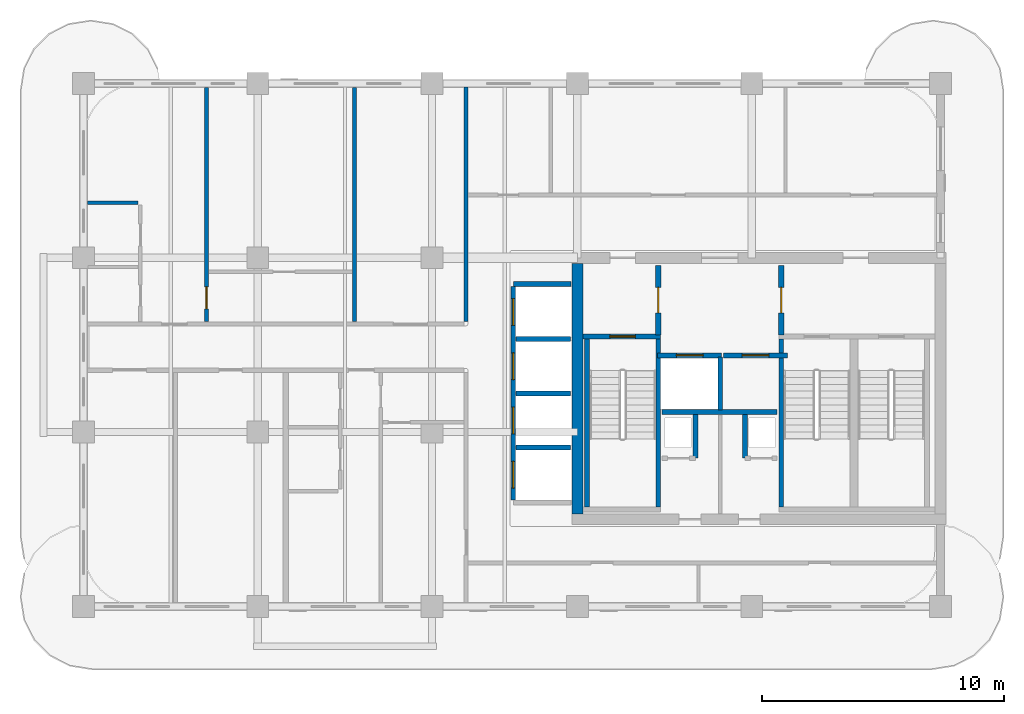
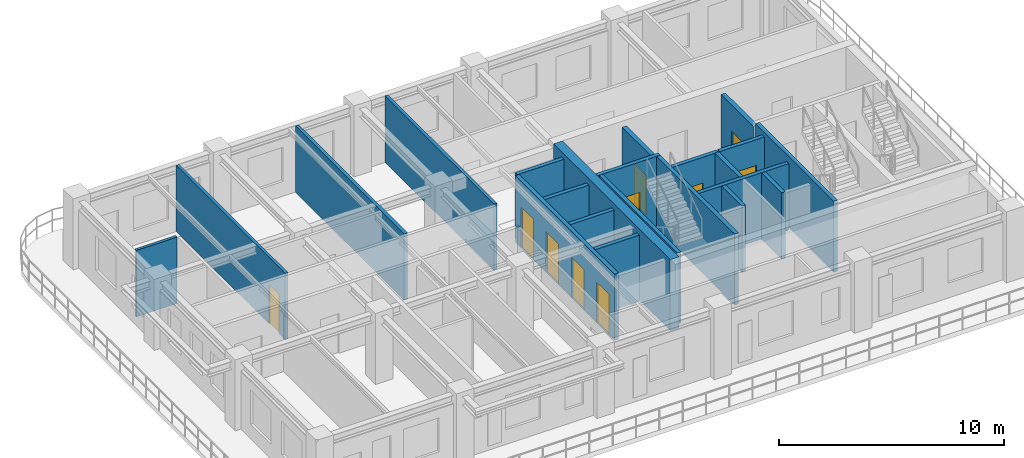
# One storey, part 4 of 8: 22 walls, 10 doors, 10 openings.
"""IFC4 building model written with IfcOpenShell, lengths in metres."""

from ifc_helpers import new_model, si_unit, derived_unit, direction, frame, frame_2d, origin, place, context, subcontext, project, spatial, rectangle, extrude, source, transform, mapped, material, layer, layer_set, type_object, type_shapes, element, fill, save


model = new_model("IFC4")

# Units and contexts
model_context = context("Model", 3, precision=1e-05, world=origin(), true_north=direction((0.0, 1.0)))
body_context = subcontext(model_context, "Body", "Model", "MODEL_VIEW")
ifc_project = project(units=[si_unit("LENGTHUNIT", "METRE"), si_unit("AREAUNIT", "SQUARE_METRE"), si_unit("VOLUMEUNIT", "CUBIC_METRE"), si_unit("PLANEANGLEUNIT", "RADIAN"), si_unit("MASSUNIT", "GRAM", prefix="KILO"), si_unit("THERMODYNAMICTEMPERATUREUNIT", "KELVIN"), si_unit("POWERUNIT", "WATT"), derived_unit("THERMALTRANSMITTANCEUNIT", [(si_unit("POWERUNIT", "WATT"), 1), (si_unit("AREAUNIT", "SQUARE_METRE"), -1), (si_unit("THERMODYNAMICTEMPERATUREUNIT", "KELVIN"), -1)])], contexts=[model_context])

# Site, building, storey
site_placement = place(None, origin())
site = spatial("IfcSite", under=ifc_project, at=site_placement, CompositionType="ELEMENT")
building_placement = place(site_placement, origin())
building = spatial("IfcBuilding", under=site, at=building_placement, Name="Zahravan Archway Hotel and Residences", CompositionType="ELEMENT")
storey_placement = place(building_placement, frame((0.0, 0.0, 232.699951171875)))
storey = spatial("IfcBuildingStorey", under=building, at=storey_placement, Name="L58", CompositionType="ELEMENT", Elevation=232.699951171875)

# Wall
ifc_material_1 = material(Name="Concrete C50/60", Category="concrete")
ifc_layer_1 = layer(ifc_material_1, 0.449951171875, Name="Concrete C50/60", Category="concrete")
ifc_layer_set_1 = layer_set([ifc_layer_1], Name="Concrete C50/60")
wall_type_1 = type_object("IfcWallType", Name="CW-CORE-450", PredefinedType="SHEAR", material=ifc_layer_set_1)
wall_1_placement = place(storey_placement, frame((34.800048828125, 3.824951171875, 0.0), z_axis=(0.0, 0.0, 1.0), x_axis=(0.0, 1.0, 0.0)))
element("IfcWall", 1, at=wall_1_placement, inside=storey, type_object=wall_type_1, Name="L58 Core A Shear W Wall 450 mm", PredefinedType="SHEAR", context=body_context, shape_type="SweptSolid", body=[
    extrude(rectangle(XDim=10.35009765625, YDim=0.449951171875, at=frame_2d((5.175048828125, 0.0))), origin(), (0.0, 0.0, 1.0), 3.85009765625),
])

# Wall, opening, door
ifc_material_2 = material(Name="Fire-Rated Gypsum & Concrete Block", Category="concrete")
ifc_layer_2 = layer(ifc_material_2, 0.219970703125, Name="Fire-Rated Gypsum & Concrete Block", Category="concrete")
ifc_layer_set_2 = layer_set([ifc_layer_2], Name="Fire-Rated Gypsum & Concrete Block")
wall_type_2 = type_object("IfcWallType", Name="PW-COMP-220", PredefinedType="PARTITIONING", material=ifc_layer_set_2)
wall_2_placement = place(storey_placement, frame((38.139892578125, 11.219970703125, 0.0), z_axis=(0.0, 0.0, 1.0), x_axis=(0.0, 1.0, 0.0)))
wall_2 = element("IfcWall", 2, at=wall_2_placement, inside=storey, type_object=wall_type_2, Name="L58 Partition CA-LOBW", PredefinedType="PARTITIONING", context=body_context, shape_type="SweptSolid", body=[
    extrude(rectangle(XDim=2.860107421875, YDim=0.219970703125, at=frame_2d((1.43017578125, 0.0))), origin(), (0.0, 0.0, 1.0), 3.60009765625),
])
opening_1_placement = place(wall_2_placement, frame((0.905029296875, 0.0, 0.0)))
opening_1 = element("IfcOpeningElement", 3, at=opening_1_placement, cuts=wall_2, Name="Opening FD-L2", PredefinedType="OPENING", context=body_context, shape_type="SweptSolid", body=[
    extrude(rectangle(XDim=1.050048828125, YDim=2.14990234375, at=frame_2d((0.52490234375, 1.074951171875))), frame((0.0, 0.1201171875, 0.0), z_axis=(0.0, -1.0, 0.0), x_axis=(1.0, 0.0, 0.0)), (0.0, 0.0, 1.0), 0.239990234375),
])
ifc_material_3 = material(Name="Fire-Rated Painted Steel", Category="steel")
door_type_1 = type_object("IfcDoorType", Name="FD-LOBBY-1100", OperationType="NOTDEFINED", PredefinedType="DOOR", material=ifc_material_3)
shared_shape_1 = source(origin(), body_context, "Body", "SweptSolid", [
    extrude(rectangle(XDim=1.050048828125, YDim=2.14990234375, at=frame_2d((0.52490234375, 1.074951171875))), frame((0.0, 0.02490234375, 0.0), z_axis=(0.0, -1.0, 0.0), x_axis=(1.0, 0.0, 0.0)), (0.0, 0.0, 1.0), 0.050048828125),
])
type_shapes(door_type_1, [shared_shape_1])
door_1_placement = place(opening_1_placement, origin())
door_1 = element("IfcDoor", 4, at=door_1_placement, inside=storey, type_object=door_type_1, Name="L58 Core A West Stair to FSAE Lobby Door", OperationType="SINGLE_SWING_RIGHT", OverallHeight=2.14990234375, OverallWidth=1.050048828125, PredefinedType="DOOR", context=body_context, shape_type="MappedRepresentation", body=[
    mapped(shared_shape_1, transform((0.0, 0.0, 0.0), scale=1.0)),
])
fill(opening_1, door_1)

wall_3_placement = place(storey_placement, frame((43.219970703125, 11.219970703125, 0.0), z_axis=(0.0, 0.0, 1.0), x_axis=(0.0, 1.0, 0.0)))
wall_3 = element("IfcWall", 5, at=wall_3_placement, inside=storey, type_object=wall_type_2, Name="L58 Partition CA-LOBE", PredefinedType="PARTITIONING", context=body_context, shape_type="SweptSolid", body=[
    extrude(rectangle(XDim=2.860107421875, YDim=0.219970703125, at=frame_2d((1.43017578125, 0.0))), origin(), (0.0, 0.0, 1.0), 3.60009765625),
])
opening_2_placement = place(wall_3_placement, frame((0.905029296875, 0.0, 0.0)))
opening_2 = element("IfcOpeningElement", 6, at=opening_2_placement, cuts=wall_3, Name="Opening FD-L2", PredefinedType="OPENING", context=body_context, shape_type="SweptSolid", body=[
    extrude(rectangle(XDim=1.050048828125, YDim=2.14990234375, at=frame_2d((0.52490234375, 1.074951171875))), frame((0.0, 0.1201171875, 0.0), z_axis=(0.0, -1.0, 0.0), x_axis=(1.0, 0.0, 0.0)), (0.0, 0.0, 1.0), 0.239990234375),
])
door_2_placement = place(opening_2_placement, origin())
door_2 = element("IfcDoor", 7, at=door_2_placement, inside=storey, type_object=door_type_1, Name="L58 Core A East Stair to FSAE Lobby Door", OperationType="SINGLE_SWING_LEFT", OverallHeight=2.14990234375, OverallWidth=1.050048828125, PredefinedType="DOOR", context=body_context, shape_type="MappedRepresentation", body=[
    mapped(shared_shape_1, transform((0.0, 0.0, 0.0), scale=1.0)),
])
fill(opening_2, door_2)

# Walls
ifc_layer_3 = layer(ifc_material_2, 0.159912109375, Name="Fire-Rated Gypsum & Concrete Block", Category="concrete")
ifc_layer_set_3 = layer_set([ifc_layer_3], Name="Fire-Rated Gypsum & Concrete Block")
wall_type_3 = type_object("IfcWallType", Name="PW-CORR-160", PredefinedType="PARTITIONING", material=ifc_layer_set_3)
wall_4_placement = place(storey_placement, frame((30.199951171875, 11.760009765625, 0.0), z_axis=(0.0, 0.0, 1.0), x_axis=(0.0, 1.0, 0.0)))
element("IfcWall", 8, at=wall_4_placement, inside=storey, type_object=wall_type_3, Name="L58 Partition WA-FW", PredefinedType="PARTITIONING", context=body_context, shape_type="SweptSolid", body=[
    extrude(rectangle(XDim=9.699951171875, YDim=0.159912109375, at=frame_2d((4.85009765625, 0.0))), origin(), (0.0, 0.0, 1.0), 3.60009765625),
])
ifc_layer_4 = layer(ifc_material_2, 0.199951171875, Name="Fire-Rated Gypsum & Concrete Block", Category="concrete")
ifc_layer_set_4 = layer_set([ifc_layer_4], Name="Fire-Rated Gypsum & Concrete Block")
wall_type_4 = type_object("IfcWallType", Name="PW-SHAFT-200", PredefinedType="PARTITIONING", material=ifc_layer_set_4)
wall_5_placement = place(storey_placement, frame((38.300048828125, 8.030029296875, 0.0), z_axis=(0.0, 0.0, 1.0), x_axis=(1.0, 0.0, 0.0)))
element("IfcWall", 9, at=wall_5_placement, inside=storey, type_object=wall_type_4, Name="L58 Partition CA-FLS", PredefinedType="PARTITIONING", context=body_context, shape_type="SweptSolid", body=[
    extrude(rectangle(XDim=4.739990234375, YDim=0.199951171875, at=frame_2d((2.3701171875, 0.0))), origin(), (0.0, 0.0, 1.0), 3.60009765625),
])
wall_6_placement = place(storey_placement, frame((40.699951171875, 8.1201171875, 0.0), z_axis=(0.0, 0.0, 1.0), x_axis=(0.0, 1.0, 0.0)))
element("IfcWall", 10, at=wall_6_placement, inside=storey, type_object=wall_type_4, Name="L58 Partition CA-FLM", PredefinedType="PARTITIONING", context=body_context, shape_type="SweptSolid", body=[
    extrude(rectangle(XDim=2.179931640625, YDim=0.199951171875, at=frame_2d((1.08984375, 0.0))), origin(), (0.0, 0.0, 1.0), 3.60009765625),
])
for number, where, z_axis, x_axis, name in (
    (11, (39.679931640625, 6.1298828125, 0.0), (0.0, 0.0, 1.0), (0.0, 1.0, 0.0), "L58 Partition CA-SMKE"),
    (12, (41.719970703125, 6.1298828125, 0.0), (0.0, 0.0, 1.0), (0.0, 1.0, 0.0), "L58 Partition CA-MEPW"),
):
    element("IfcWall", number, at=place(storey_placement, frame(where, z_axis=z_axis, x_axis=x_axis)), inside=storey, type_object=wall_type_4, Name=name, PredefinedType="PARTITIONING", context=body_context, shape_type="SweptSolid", body=[
        extrude(rectangle(XDim=1.7900390625, YDim=0.199951171875, at=frame_2d((0.89501953125, 0.0))), origin(), (0.0, 0.0, 1.0), 3.60009765625),
    ])
wall_7_placement = place(storey_placement, frame((32.159912109375, 13.320068359375, 0.0), z_axis=(0.0, 0.0, 1.0), x_axis=(1.0, 0.0, 0.0)))
element("IfcWall", 13, at=wall_7_placement, inside=storey, type_object=wall_type_4, Name="L58 Partition B3-N", PredefinedType="PARTITIONING", context=body_context, shape_type="SweptSolid", body=[
    extrude(rectangle(XDim=2.385009765625, YDim=0.199951171875, at=frame_2d((1.1923828125, 0.0))), origin(), (0.0, 0.0, 1.0), 3.60009765625),
])

# Wall, openings, doors
wall_8_placement = place(storey_placement, frame((32.14990234375, 4.389892578125, 0.0), z_axis=(0.0, 0.0, 1.0), x_axis=(0.0, 1.0, 0.0)))
wall_8 = element("IfcWall", 14, at=wall_8_placement, inside=storey, type_object=wall_type_4, Name="L58 Partition B3-W", PredefinedType="PARTITIONING", context=body_context, shape_type="SweptSolid", body=[
    extrude(rectangle(XDim=8.820068359375, YDim=0.199951171875, at=frame_2d((4.41015625, 0.0))), origin(), (0.0, 0.0, 1.0), 3.60009765625),
])
opening_3_placement = place(wall_8_placement, frame((0.5, 0.0, 0.0)))
opening_3 = element("IfcOpeningElement", 15, at=opening_3_placement, cuts=wall_8, Name="Opening LD", PredefinedType="OPENING", context=body_context, shape_type="SweptSolid", body=[
    extrude(rectangle(XDim=1.10009765625, YDim=2.199951171875, at=frame_2d((0.550048828125, 1.10009765625))), frame((0.0, 0.10986328125, 0.0), z_axis=(0.0, -1.0, 0.0), x_axis=(1.0, 0.0, 0.0)), (0.0, 0.0, 1.0), 0.219970703125),
])
opening_4_placement = place(wall_8_placement, frame((2.739990234375, 0.0, 0.0)))
opening_4 = element("IfcOpeningElement", 16, at=opening_4_placement, cuts=wall_8, Name="Opening LD", PredefinedType="OPENING", context=body_context, shape_type="SweptSolid", body=[
    extrude(rectangle(XDim=1.10009765625, YDim=2.199951171875, at=frame_2d((0.550048828125, 1.10009765625))), frame((0.0, 0.10986328125, 0.0), z_axis=(0.0, -1.0, 0.0), x_axis=(1.0, 0.0, 0.0)), (0.0, 0.0, 1.0), 0.219970703125),
])
opening_5_placement = place(wall_8_placement, frame((4.97998046875, 0.0, 0.0)))
opening_5 = element("IfcOpeningElement", 17, at=opening_5_placement, cuts=wall_8, Name="Opening LD", PredefinedType="OPENING", context=body_context, shape_type="SweptSolid", body=[
    extrude(rectangle(XDim=1.10009765625, YDim=2.199951171875, at=frame_2d((0.550048828125, 1.10009765625))), frame((0.0, 0.10986328125, 0.0), z_axis=(0.0, -1.0, 0.0), x_axis=(1.0, 0.0, 0.0)), (0.0, 0.0, 1.0), 0.219970703125),
])
opening_6_placement = place(wall_8_placement, frame((7.219970703125, 0.0, 0.0)))
opening_6 = element("IfcOpeningElement", 18, at=opening_6_placement, cuts=wall_8, Name="Opening LD", PredefinedType="OPENING", context=body_context, shape_type="SweptSolid", body=[
    extrude(rectangle(XDim=1.10009765625, YDim=2.199951171875, at=frame_2d((0.550048828125, 1.10009765625))), frame((0.0, 0.10986328125, 0.0), z_axis=(0.0, -1.0, 0.0), x_axis=(1.0, 0.0, 0.0)), (0.0, 0.0, 1.0), 0.219970703125),
])
ifc_material_4 = material(Name="Brushed Stainless Steel", Category="steel")
door_type_2 = type_object("IfcDoorType", Name="DR-LIFT-LD", OperationType="SLIDING_TO_LEFT", PredefinedType="DOOR", material=ifc_material_4)
shared_shape_2 = source(origin(), body_context, "Body", "SweptSolid", [
    extrude(rectangle(XDim=1.10009765625, YDim=2.199951171875, at=frame_2d((0.550048828125, 1.10009765625))), frame((0.0, 0.02490234375, 0.0), z_axis=(0.0, -1.0, 0.0), x_axis=(1.0, 0.0, 0.0)), (0.0, 0.0, 1.0), 0.050048828125),
])
type_shapes(door_type_2, [shared_shape_2])
door_3_placement = place(opening_3_placement, origin())
door_3 = element("IfcDoor", 19, at=door_3_placement, inside=storey, type_object=door_type_2, Name="L58 Lift LP-7 Sliding Landing Door", OperationType="SLIDING_TO_LEFT", OverallHeight=2.199951171875, OverallWidth=1.10009765625, PredefinedType="DOOR", context=body_context, shape_type="MappedRepresentation", body=[
    mapped(shared_shape_2, transform((0.0, 0.0, 0.0), scale=1.0)),
])
fill(opening_3, door_3)
door_4_placement = place(opening_4_placement, origin())
door_4 = element("IfcDoor", 20, at=door_4_placement, inside=storey, type_object=door_type_2, Name="L58 Lift LP-8 Sliding Landing Door", OperationType="SLIDING_TO_LEFT", OverallHeight=2.199951171875, OverallWidth=1.10009765625, PredefinedType="DOOR", context=body_context, shape_type="MappedRepresentation", body=[
    mapped(shared_shape_2, transform((0.0, 0.0, 0.0), scale=1.0)),
])
fill(opening_4, door_4)
door_5_placement = place(opening_5_placement, origin())
door_5 = element("IfcDoor", 21, at=door_5_placement, inside=storey, type_object=door_type_2, Name="L58 Lift LP-9 Sliding Landing Door", OperationType="SLIDING_TO_LEFT", OverallHeight=2.199951171875, OverallWidth=1.10009765625, PredefinedType="DOOR", context=body_context, shape_type="MappedRepresentation", body=[
    mapped(shared_shape_2, transform((0.0, 0.0, 0.0), scale=1.0)),
])
fill(opening_5, door_5)
door_6_placement = place(opening_6_placement, origin())
door_6 = element("IfcDoor", 22, at=door_6_placement, inside=storey, type_object=door_type_2, Name="L58 Lift LP-10 Sliding Landing Door", OperationType="SLIDING_TO_LEFT", OverallHeight=2.199951171875, OverallWidth=1.10009765625, PredefinedType="DOOR", context=body_context, shape_type="MappedRepresentation", body=[
    mapped(shared_shape_2, transform((0.0, 0.0, 0.0), scale=1.0)),
])
fill(opening_6, door_6)

# Walls
for number, where, z_axis, x_axis, name in (
    (23, (32.260009765625, 6.56005859375, 0.0), (0.0, 0.0, 1.0), (1.0, 0.0, 0.0), "L58 Partition B3-D"),
    (24, (32.260009765625, 8.800048828125, 0.0), (0.0, 0.0, 1.0), (1.0, 0.0, 0.0), "L58 Partition B3-D"),
    (25, (32.260009765625, 11.0400390625, 0.0), (0.0, 0.0, 1.0), (1.0, 0.0, 0.0), "L58 Partition B3-D"),
):
    element("IfcWall", number, at=place(storey_placement, frame(where, z_axis=z_axis, x_axis=x_axis)), inside=storey, type_object=wall_type_4, Name=name, PredefinedType="PARTITIONING", context=body_context, shape_type="SweptSolid", body=[
        extrude(rectangle(XDim=2.2548828125, YDim=0.199951171875, at=frame_2d((1.12744140625, 0.0))), origin(), (0.0, 0.0, 1.0), 3.60009765625),
    ])

# Wall, opening, door
wall_9_placement = place(storey_placement, frame((38.1201171875, 10.3701171875, 0.0), z_axis=(0.0, 0.0, 1.0), x_axis=(1.0, 0.0, 0.0)))
wall_9 = element("IfcWall", 26, at=wall_9_placement, inside=storey, type_object=wall_type_4, Name="L58 Lift FL-1 Front Wall", PredefinedType="PARTITIONING", context=body_context, shape_type="SweptSolid", body=[
    extrude(rectangle(XDim=2.639892578125, YDim=0.199951171875, at=frame_2d((1.31982421875, 0.0))), origin(), (0.0, 0.0, 1.0), 3.60009765625),
])
opening_7_placement = place(wall_9_placement, frame((0.77001953125, 0.0, 0.0)))
opening_7 = element("IfcOpeningElement", 27, at=opening_7_placement, cuts=wall_9, Name="Opening LD", PredefinedType="OPENING", context=body_context, shape_type="SweptSolid", body=[
    extrude(rectangle(XDim=1.10009765625, YDim=2.199951171875, at=frame_2d((0.550048828125, 1.10009765625))), frame((0.0, 0.10986328125, 0.0), z_axis=(0.0, -1.0, 0.0), x_axis=(1.0, 0.0, 0.0)), (0.0, 0.0, 1.0), 0.219970703125),
])
door_7_placement = place(opening_7_placement, origin())
door_7 = element("IfcDoor", 28, at=door_7_placement, inside=storey, type_object=door_type_2, Name="L58 Lift FL-1 Sliding Landing Door", OperationType="SLIDING_TO_LEFT", OverallHeight=2.199951171875, OverallWidth=1.10009765625, PredefinedType="DOOR", context=body_context, shape_type="MappedRepresentation", body=[
    mapped(shared_shape_2, transform((0.0, 0.0, 0.0), scale=1.0)),
])
fill(opening_7, door_7)

wall_10_placement = place(storey_placement, frame((40.840087890625, 10.3701171875, 0.0), z_axis=(0.0, 0.0, 1.0), x_axis=(1.0, 0.0, 0.0)))
wall_10 = element("IfcWall", 29, at=wall_10_placement, inside=storey, type_object=wall_type_4, Name="L58 Lift FL-2 Front Wall", PredefinedType="PARTITIONING", context=body_context, shape_type="SweptSolid", body=[
    extrude(rectangle(XDim=2.639892578125, YDim=0.199951171875, at=frame_2d((1.31982421875, 0.0))), origin(), (0.0, 0.0, 1.0), 3.60009765625),
])
opening_8_placement = place(wall_10_placement, frame((0.77001953125, 0.0, 0.0)))
opening_8 = element("IfcOpeningElement", 30, at=opening_8_placement, cuts=wall_10, Name="Opening LD", PredefinedType="OPENING", context=body_context, shape_type="SweptSolid", body=[
    extrude(rectangle(XDim=1.10009765625, YDim=2.199951171875, at=frame_2d((0.550048828125, 1.10009765625))), frame((0.0, 0.10986328125, 0.0), z_axis=(0.0, -1.0, 0.0), x_axis=(1.0, 0.0, 0.0)), (0.0, 0.0, 1.0), 0.219970703125),
])
door_8_placement = place(opening_8_placement, origin())
door_8 = element("IfcDoor", 31, at=door_8_placement, inside=storey, type_object=door_type_2, Name="L58 Lift FL-2 Sliding Landing Door", OperationType="SLIDING_TO_LEFT", OverallHeight=2.199951171875, OverallWidth=1.10009765625, PredefinedType="DOOR", context=body_context, shape_type="MappedRepresentation", body=[
    mapped(shared_shape_2, transform((0.0, 0.0, 0.0), scale=1.0)),
])
fill(opening_8, door_8)

ifc_material_5 = material(Name="Acoustic Stud Partition")
ifc_layer_5 = layer(ifc_material_5, 0.14990234375, Name="Acoustic Stud Partition")
ifc_layer_set_5 = layer_set([ifc_layer_5], Name="Acoustic Stud Partition")
wall_type_5 = type_object("IfcWallType", Name="PW-UNIT-150", PredefinedType="PARTITIONING", material=ifc_layer_set_5)
wall_11_placement = place(storey_placement, frame((19.47998046875, 11.760009765625, 0.0), z_axis=(0.0, 0.0, 1.0), x_axis=(0.0, 1.0, 0.0)))
wall_11 = element("IfcWall", 32, at=wall_11_placement, inside=storey, type_object=wall_type_5, Name="L58 Partition FL-N1-SP", PredefinedType="PARTITIONING", context=body_context, shape_type="SweptSolid", body=[
    extrude(rectangle(XDim=9.671875, YDim=0.14990234375, at=frame_2d((4.8359375, 0.0))), origin(), (0.0, 0.0, 1.0), 3.60009765625),
])
opening_9_placement = place(wall_11_placement, frame((0.534912109375, 0.0, 0.0)))
opening_9 = element("IfcOpeningElement", 33, at=opening_9_placement, cuts=wall_11, Name="Opening D-I2", PredefinedType="OPENING", context=body_context, shape_type="SweptSolid", body=[
    extrude(rectangle(XDim=0.89990234375, YDim=2.14990234375, at=frame_2d((0.449951171875, 1.074951171875))), frame((0.0, 0.0849609375, 0.0), z_axis=(0.0, -1.0, 0.0), x_axis=(1.0, 0.0, 0.0)), (0.0, 0.0, 1.0), 0.169921875),
])
ifc_material_6 = material(Name="Hardwood Veneer Timber", Category="wood")
door_type_3 = type_object("IfcDoorType", Name="ID-INT-900", OperationType="NOTDEFINED", PredefinedType="DOOR", material=ifc_material_6)
shared_shape_3 = source(origin(), body_context, "Body", "SweptSolid", [
    extrude(rectangle(XDim=0.89990234375, YDim=2.14990234375, at=frame_2d((0.449951171875, 1.074951171875))), frame((0.0, 0.02490234375, 0.0), z_axis=(0.0, -1.0, 0.0), x_axis=(1.0, 0.0, 0.0)), (0.0, 0.0, 1.0), 0.050048828125),
])
type_shapes(door_type_3, [shared_shape_3])
door_9_placement = place(opening_9_placement, origin())
door_9 = element("IfcDoor", 34, at=door_9_placement, inside=storey, type_object=door_type_3, Name="L58 Flat N1 Bedroom Hall Door", OperationType="SINGLE_SWING_RIGHT", OverallHeight=2.14990234375, OverallWidth=0.89990234375, PredefinedType="DOOR", context=body_context, shape_type="MappedRepresentation", body=[
    mapped(shared_shape_3, transform((0.0, 0.0, 0.0), scale=1.0)),
])
fill(opening_9, door_9)

# Walls
ifc_layer_6 = layer(ifc_material_5, 0.169921875, Name="Acoustic Stud Partition")
ifc_layer_set_6 = layer_set([ifc_layer_6], Name="Acoustic Stud Partition")
wall_type_6 = type_object("IfcWallType", Name="PW-UNIT-170", PredefinedType="PARTITIONING", material=ifc_layer_set_6)
wall_12_placement = place(storey_placement, frame((25.60009765625, 11.760009765625, 0.0), z_axis=(0.0, 0.0, 1.0), x_axis=(0.0, 1.0, 0.0)))
element("IfcWall", 35, at=wall_12_placement, inside=storey, type_object=wall_type_6, Name="L58 Partition WAN-N2", PredefinedType="PARTITIONING", context=body_context, shape_type="SweptSolid", body=[
    extrude(rectangle(XDim=9.671875, YDim=0.169921875, at=frame_2d((4.8359375, 0.0))), origin(), (0.0, 0.0, 1.0), 3.60009765625),
])
ifc_material_7 = material(Name="Moisture-Resistant Blockwork", Category="masonry")
ifc_layer_7 = layer(ifc_material_7, 0.139892578125, Name="Moisture-Resistant Blockwork", Category="masonry")
ifc_layer_set_7 = layer_set([ifc_layer_7], Name="Moisture-Resistant Blockwork")
wall_type_7 = type_object("IfcWallType", Name="PW-WET-140", PredefinedType="PARTITIONING", material=ifc_layer_set_7)
wall_13_placement = place(storey_placement, frame((14.568115234375, 16.669921875, 0.0), z_axis=(0.0, 0.0, 1.0), x_axis=(1.0, 0.0, 0.0)))
element("IfcWall", 36, at=wall_13_placement, inside=storey, type_object=wall_type_7, Name="L58 Partition FL-N1-KH", PredefinedType="PARTITIONING", context=body_context, shape_type="SweptSolid", body=[
    extrude(rectangle(XDim=2.091796875, YDim=0.139892578125, at=frame_2d((1.0458984375, 0.0))), origin(), (0.0, 0.0, 1.0), 3.60009765625),
])
ifc_layer_8 = layer(ifc_material_1, 0.199951171875, Name="Concrete C50/60", Category="concrete")
ifc_layer_set_8 = layer_set([ifc_layer_8], Name="Concrete C50/60")
wall_type_8 = type_object("IfcWallType", Name="SW-STAIR-200", PredefinedType="SHEAR", material=ifc_layer_set_8)
for number, where, z_axis, x_axis, name in (
    (37, (35.199951171875, 4.10009765625, 0.0), (0.0, 0.0, 1.0), (0.0, 1.0, 0.0), "L58 Stairwell RC Wall CA-SA1W"),
    (38, (38.139892578125, 4.10009765625, 0.0), (0.0, 0.0, 1.0), (0.0, 1.0, 0.0), "L58 Stairwell RC Wall CA-SA1E"),
):
    element("IfcWall", number, at=place(storey_placement, frame(where, z_axis=z_axis, x_axis=x_axis)), inside=storey, type_object=wall_type_8, Name=name, PredefinedType="SHEAR", context=body_context, shape_type="SweptSolid", body=[
        extrude(rectangle(XDim=6.949951171875, YDim=0.199951171875, at=frame_2d((3.47509765625, 0.0))), origin(), (0.0, 0.0, 1.0), 3.85009765625),
    ])

# Wall, opening, door
wall_14_placement = place(storey_placement, frame((35.02490234375, 11.14990234375, 0.0), z_axis=(0.0, 0.0, 1.0), x_axis=(1.0, 0.0, 0.0)))
wall_14 = element("IfcWall", 39, at=wall_14_placement, inside=storey, type_object=wall_type_8, Name="L58 Stairwell RC Wall CA-SA1N", PredefinedType="SHEAR", context=body_context, shape_type="SweptSolid", body=[
    extrude(rectangle(XDim=3.215087890625, YDim=0.199951171875, at=frame_2d((1.607421875, 0.0))), origin(), (0.0, 0.0, 1.0), 3.85009765625),
])
opening_10_placement = place(wall_14_placement, frame((1.1201171875, 0.0, 0.0)))
opening_10 = element("IfcOpeningElement", 40, at=opening_10_placement, cuts=wall_14, Name="Opening FD-S1", PredefinedType="OPENING", context=body_context, shape_type="SweptSolid", body=[
    extrude(rectangle(XDim=1.050048828125, YDim=2.199951171875, at=frame_2d((0.52490234375, 1.10009765625))), frame((0.0, 0.10986328125, 0.0), z_axis=(0.0, -1.0, 0.0), x_axis=(1.0, 0.0, 0.0)), (0.0, 0.0, 1.0), 0.219970703125),
])
door_type_4 = type_object("IfcDoorType", Name="FD-STAIR-1100", OperationType="NOTDEFINED", PredefinedType="DOOR", material=ifc_material_3)
shared_shape_4 = source(origin(), body_context, "Body", "SweptSolid", [
    extrude(rectangle(XDim=1.050048828125, YDim=2.199951171875, at=frame_2d((0.52490234375, 1.10009765625))), frame((0.0, 0.02490234375, 0.0), z_axis=(0.0, -1.0, 0.0), x_axis=(1.0, 0.0, 0.0)), (0.0, 0.0, 1.0), 0.050048828125),
])
type_shapes(door_type_4, [shared_shape_4])
door_10_placement = place(opening_10_placement, origin())
door_10 = element("IfcDoor", 41, at=door_10_placement, inside=storey, type_object=door_type_4, Name="L58 Stair ST-A1 Door", OperationType="SINGLE_SWING_LEFT", OverallHeight=2.199951171875, OverallWidth=1.050048828125, PredefinedType="DOOR", context=body_context, shape_type="MappedRepresentation", body=[
    mapped(shared_shape_4, transform((0.0, 0.0, 0.0), scale=1.0)),
])
fill(opening_10, door_10)

# Wall
wall_15_placement = place(storey_placement, frame((43.219970703125, 4.10009765625, 0.0), z_axis=(0.0, 0.0, 1.0), x_axis=(0.0, 1.0, 0.0)))
element("IfcWall", 42, at=wall_15_placement, inside=storey, type_object=wall_type_8, Name="L58 Stairwell RC Wall CA-SA2W", PredefinedType="SHEAR", context=body_context, shape_type="SweptSolid", body=[
    extrude(rectangle(XDim=6.949951171875, YDim=0.199951171875, at=frame_2d((3.47509765625, 0.0))), origin(), (0.0, 0.0, 1.0), 3.85009765625),
])

save(model, "model.ifc")
